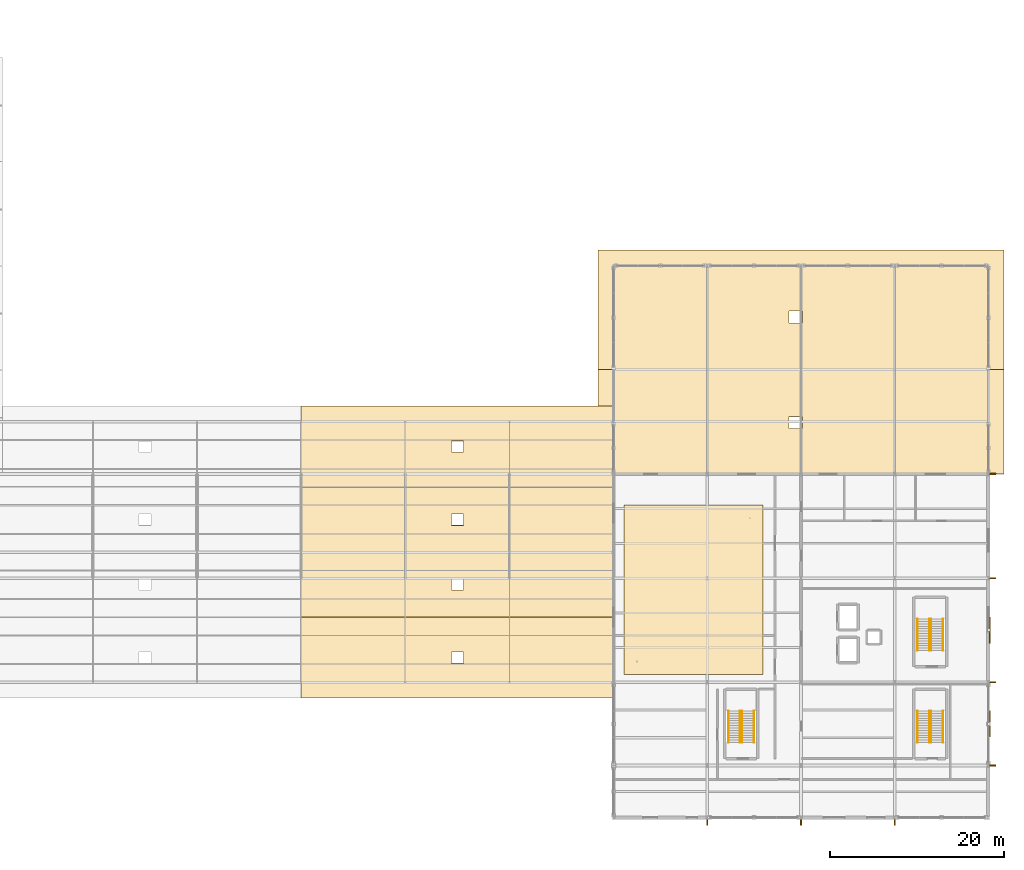
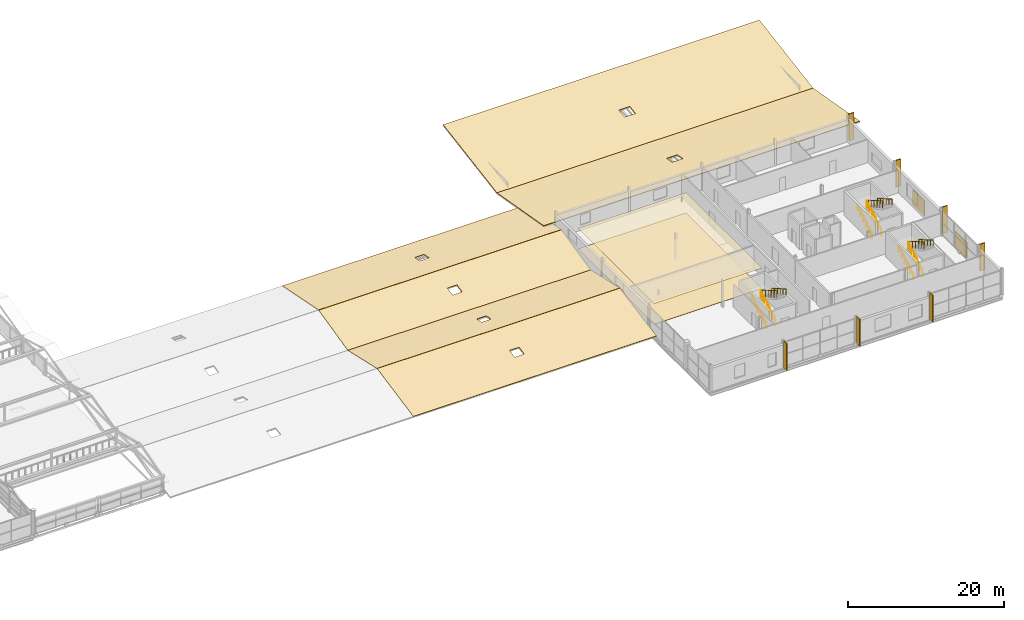
# One storey, part 117 of 117: 15 coverings, 12 railings, 2 shading devices.
"""IFC4 building model written with IfcOpenShell, lengths in metres."""

import ifcopenshell
import ifcopenshell.guid

model = None  # the IFC model being written
_history = None  # IfcOwnerHistory: only IFC2X3 demands one
_inside = {}  # id of a spatial element -> (the spatial element, [elements in it])
_under = {}  # id of a project, library or spatial element -> (it, [spatial elements below it])
_declared = {}  # id of a project -> (the project, [libraries it declares])
_typed = {}  # id of a type object -> (the type object, [elements of that type])
_made_of = {}  # id of a material, layer set ... -> (it, [elements and type objects made of it])


def new_model(schema):
    """Start an empty IFC model of exactly this schema.

    Asked for "IFC4X3", IfcOpenShell would pick the latest addendum, in which some entities
    have other attributes; the version numbers below select the first issue.
    IFC2X3 requires an IfcOwnerHistory on every rooted entity: one is made here for all.
    """
    global model, _history
    if schema == "IFC4X3":
        model = ifcopenshell.file(schema_version=(4, 3, 0, 0))
    else:
        model = ifcopenshell.file(schema=schema)
    _inside.clear()
    _under.clear()
    _declared.clear()
    _typed.clear()
    _made_of.clear()
    _history = None
    if model.schema == "IFC2X3":
        org = make("IfcOrganization", Name="unknown")
        user = make(
            "IfcPersonAndOrganization",
            ThePerson=make("IfcPerson", FamilyName="unknown"),
            TheOrganization=org,
        )
        app = make(
            "IfcApplication",
            ApplicationDeveloper=org,
            Version="unknown",
            ApplicationFullName="unknown",
            ApplicationIdentifier="unknown",
        )
        _history = make(
            "IfcOwnerHistory",
            OwningUser=user,
            OwningApplication=app,
            ChangeAction="ADDED",
            CreationDate=0,
        )
    return model


def make(cls, **values):
    """One entity of the class cls with the attributes given. An attribute that is None is left unset."""
    return model.create_entity(
        cls, **{name: value for name, value in values.items() if value is not None}
    )


def rooted(cls, **values):
    """An entity with a GlobalId (a new one), such as an element, a storey or a relation."""
    return make(cls, GlobalId=ifcopenshell.guid.new(), OwnerHistory=_history, **values)


def si_unit(unit_type, name, prefix=None):
    """IfcSIUnit, for example si_unit("LENGTHUNIT", "METRE", prefix="MILLI")."""
    return make("IfcSIUnit", UnitType=unit_type, Prefix=prefix, Name=name)


def assignment(units):
    """IfcUnitAssignment: the units of a project."""
    return None if units is None else make("IfcUnitAssignment", Units=units)


def point(xyz):
    """IfcCartesianPoint."""
    return None if xyz is None else make("IfcCartesianPoint", Coordinates=xyz)


def direction(xyz):
    """IfcDirection."""
    return None if xyz is None else make("IfcDirection", DirectionRatios=xyz)


def frame(location, z_axis=None, x_axis=None):
    """IfcAxis2Placement3D, a coordinate frame: its origin and axes. An axis left out is left unset."""
    return make(
        "IfcAxis2Placement3D",
        Location=point(location),
        Axis=direction(z_axis),
        RefDirection=direction(x_axis),
    )


def frame_2d(location, x_axis=None):
    """IfcAxis2Placement2D, a coordinate frame in the plane: its origin and x axis."""
    return make(
        "IfcAxis2Placement2D", Location=point(location), RefDirection=direction(x_axis)
    )


def origin():
    """The frame at (0, 0, 0) with its axes left unset."""
    return frame((0.0, 0.0, 0.0))


def origin_2d():
    """The frame at (0, 0) in the plane with its x axis left unset."""
    return frame_2d((0.0, 0.0))


def place(relative_to, where):
    """IfcLocalPlacement: puts the frame where relative to a parent placement (None: the world)."""
    return make(
        "IfcLocalPlacement", PlacementRelTo=relative_to, RelativePlacement=where
    )


def context(
    kind, dimensions, precision=None, world=None, true_north=None, identifier=None
):
    """IfcGeometricRepresentationContext, for example the 3D "Model" context."""
    return make(
        "IfcGeometricRepresentationContext",
        ContextIdentifier=identifier,
        ContextType=kind,
        CoordinateSpaceDimension=dimensions,
        Precision=precision,
        WorldCoordinateSystem=world,
        TrueNorth=true_north,
    )


def subcontext(parent, identifier, kind, view, scale=None):
    """IfcGeometricRepresentationSubContext, for example "Body" below "Model"."""
    return make(
        "IfcGeometricRepresentationSubContext",
        ContextIdentifier=identifier,
        ContextType=kind,
        ParentContext=parent,
        TargetScale=scale,
        TargetView=view,
    )


def project(units=None, contexts=None):
    """IfcProject with its units and contexts."""
    return rooted(
        "IfcProject",
        Name="project",
        RepresentationContexts=contexts,
        UnitsInContext=assignment(units),
    )


def spatial(cls, under=None, at=None, **own):
    """A site, building, storey or space (cls), placed at a placement, below another one or the project."""
    s = rooted(cls, ObjectPlacement=at, **own)
    if under is not None:
        _under.setdefault(under.id(), (under, []))[1].append(s)
    return s


def polyline(points):
    """IfcPolyline through the points."""
    return make("IfcPolyline", Points=[point(p) for p in points])


def profile(cls, at=None, kind="AREA", **sizes):
    """A parametric profile (cls). Its sizes go by their IFC names, for example OverallWidth=200.0."""
    return make(cls, ProfileType=kind, Position=at, **sizes)


def rectangle(**sizes):
    """IfcRectangleProfileDef."""
    return profile("IfcRectangleProfileDef", **sizes)


def circle(**sizes):
    """IfcCircleProfileDef."""
    return profile("IfcCircleProfileDef", **sizes)


def outline(outer, holes=None, kind="AREA"):
    """IfcArbitraryClosedProfileDef: a profile drawn as a closed curve; with holes, ...WithVoids."""
    if holes is None:
        return make("IfcArbitraryClosedProfileDef", ProfileType=kind, OuterCurve=outer)
    return make(
        "IfcArbitraryProfileDefWithVoids",
        ProfileType=kind,
        OuterCurve=outer,
        InnerCurves=holes,
    )


def extrude(swept, where, along, depth):
    """IfcExtrudedAreaSolid: the profile swept, set in the frame where, extruded along a direction by depth."""
    return make(
        "IfcExtrudedAreaSolid",
        SweptArea=swept,
        Position=where,
        ExtrudedDirection=direction(along),
        Depth=depth,
    )


def shape(context_of_items, identifier, shape_type, items):
    """IfcShapeRepresentation: the items that make up one representation, for example the "Body"."""
    return make(
        "IfcShapeRepresentation",
        ContextOfItems=context_of_items,
        RepresentationIdentifier=identifier,
        RepresentationType=shape_type,
        Items=items,
    )


def material(Name=None, Category=None):
    """IfcMaterial."""
    return make("IfcMaterial", Name=Name, Category=Category)


def layer(
    of_material, thickness, ventilated=None, Name=None, Category=None, Priority=None
):
    """IfcMaterialLayer: one layer of a wall or slab, of a material (None: an air gap)."""
    return make(
        "IfcMaterialLayer",
        Material=of_material,
        LayerThickness=thickness,
        IsVentilated=ventilated,
        Name=Name,
        Category=Category,
        Priority=Priority,
    )


def layer_set(layers, Name=None):
    """IfcMaterialLayerSet."""
    return make("IfcMaterialLayerSet", MaterialLayers=layers, LayerSetName=Name)


def made_of(thing, what):
    """Note that an element or type object is made of a material, layer set ...; save() writes the relation."""
    if what is not None:
        _made_of.setdefault(what.id(), (what, []))[1].append(thing)
    return thing


def type_object(cls, material=None, **own):
    """A type object (cls), such as IfcWallType, which elements share."""
    return made_of(rooted(cls, **own), material)


def element(
    cls,
    number,
    at=None,
    inside=None,
    cuts=None,
    type_object=None,
    material=None,
    context=None,
    identifier="Body",
    shape_type=None,
    held_by="IfcProductDefinitionShape",
    body=None,
    shapes=None,
    **own,
):
    """One element of the class cls, such as IfcWall. Its Tag is "e" and its number.

    at: its placement. inside: the storey or other place that contains it. cuts: it is an
    opening in that element (IfcRelVoidsElement). A single representation is given by context,
    identifier, shape_type and body (its items); several are given by shapes. held_by: the class
    of the entity that holds the representations. save() writes the other relations.
    """
    e = rooted(cls, Tag="e%d" % number, ObjectPlacement=at, **own)
    if body is not None:
        shapes = [shape(context, identifier, shape_type, body)]
    if shapes is not None:
        e.Representation = make(held_by, Representations=shapes)
    if inside is not None:
        _inside.setdefault(inside.id(), (inside, []))[1].append(e)
    if cuts is not None:
        rooted(
            "IfcRelVoidsElement", RelatingBuildingElement=cuts, RelatedOpeningElement=e
        )
    if type_object is not None:
        _typed.setdefault(type_object.id(), (type_object, []))[1].append(e)
    return made_of(e, material)


def aggregate(whole, parts):
    """IfcRelAggregates: a whole, such as a stair, and the parts it consists of."""
    return rooted("IfcRelAggregates", RelatingObject=whole, RelatedObjects=parts)


def save(model, path):
    """Write the relations noted so far, then the file.

    IfcRelAggregates (storeys below a building ...), IfcRelContainedInSpatialStructure (elements
    in a storey), IfcRelDefinesByType, IfcRelAssociatesMaterial and IfcRelDeclares: one each for
    every whole, place, type object, material and project.
    """
    for whole, parts in _under.values():
        aggregate(whole, parts)
    for where, things in _inside.values():
        rooted(
            "IfcRelContainedInSpatialStructure",
            RelatedElements=things,
            RelatingStructure=where,
        )
    for kind, things in _typed.values():
        rooted("IfcRelDefinesByType", RelatedObjects=things, RelatingType=kind)
    for what, things in _made_of.values():
        rooted("IfcRelAssociatesMaterial", RelatedObjects=things, RelatingMaterial=what)
    for by, libraries in _declared.values():
        rooted("IfcRelDeclares", RelatingContext=by, RelatedDefinitions=libraries)
    model.write(path)


model = new_model("IFC4")

# Units and contexts
model_context = context("Model", 3, precision=1e-05, world=origin(), true_north=direction((0.0, 1.0)))
body_context = subcontext(model_context, "Body", "Model", "MODEL_VIEW")
ifc_project = project(units=[si_unit("LENGTHUNIT", "METRE"), si_unit("AREAUNIT", "SQUARE_METRE"), si_unit("VOLUMEUNIT", "CUBIC_METRE"), si_unit("PLANEANGLEUNIT", "RADIAN"), si_unit("MASSUNIT", "GRAM", prefix="KILO")], contexts=[model_context])

# Site, building, storey
site_placement = place(None, origin())
site = spatial("IfcSite", under=ifc_project, at=site_placement, CompositionType="ELEMENT")
building_placement = place(site_placement, origin())
building = spatial("IfcBuilding", under=site, at=building_placement, Name="Merenkruunu Market Hall", CompositionType="ELEMENT")
storey_placement = place(building_placement, frame((0.0, 0.0, 10.199951171875)))
storey = spatial("IfcBuildingStorey", under=building, at=storey_placement, Name="L02", CompositionType="ELEMENT", Elevation=10.199951171875)

# Coverings
ifc_material_1 = material(Name="Precast concrete C40/50", Category="concrete")
ifc_layer_1 = layer(ifc_material_1, 0.139892578125)
ifc_layer_set_1 = layer_set([ifc_layer_1], Name="Precast concrete C40/50")
covering_type_1 = type_object("IfcCoveringType", Name="Architectural Precast Sun Fin CLD02", PredefinedType="CLADDING", material=ifc_layer_set_1)
covering_1_placement = place(storey_placement, origin())
element("IfcCovering", 1, at=covering_1_placement, inside=storey, type_object=covering_type_1, Name="FIN-S-L02-070", PredefinedType="CLADDING", context=body_context, shape_type="SweptSolid", body=[
    extrude(outline(polyline([(159.530029296875, -0.89990234375), (159.669921875, -0.89990234375), (159.669921875, -0.177978515625), (159.530029296875, -0.177978515625), (159.530029296875, -0.89990234375)])), origin(), (0.0, 0.0, 1.0), 4.199951171875),
])
covering_2_placement = place(storey_placement, origin())
element("IfcCovering", 2, at=covering_2_placement, inside=storey, type_object=covering_type_1, Name="FIN-S-L02-075", PredefinedType="CLADDING", context=body_context, shape_type="SweptSolid", body=[
    extrude(outline(polyline([(170.330078125, -0.89990234375), (170.469970703125, -0.89990234375), (170.469970703125, -0.177978515625), (170.330078125, -0.177978515625), (170.330078125, -0.89990234375)])), origin(), (0.0, 0.0, 1.0), 4.199951171875),
])
covering_3_placement = place(storey_placement, origin())
element("IfcCovering", 3, at=covering_3_placement, inside=storey, type_object=covering_type_1, Name="FIN-S-L02-080", PredefinedType="CLADDING", context=body_context, shape_type="SweptSolid", body=[
    extrude(outline(polyline([(181.1298828125, -0.89990234375), (181.27001953125, -0.89990234375), (181.27001953125, -0.177978515625), (181.1298828125, -0.177978515625), (181.1298828125, -0.89990234375)])), origin(), (0.0, 0.0, 1.0), 4.199951171875),
])
covering_4_placement = place(storey_placement, origin())
element("IfcCovering", 4, at=covering_4_placement, inside=storey, type_object=covering_type_1, Name="FIN-E-L02-085", PredefinedType="CLADDING", context=body_context, shape_type="SweptSolid", body=[
    extrude(outline(polyline([(192.14794921875, 5.929931640625), (192.8701171875, 5.929931640625), (192.8701171875, 6.070068359375), (192.14794921875, 6.070068359375), (192.14794921875, 5.929931640625)])), origin(), (0.0, 0.0, 1.0), 4.199951171875),
])
covering_5_placement = place(storey_placement, origin())
element("IfcCovering", 5, at=covering_5_placement, inside=storey, type_object=covering_type_1, Name="FIN-E-L02-090", PredefinedType="CLADDING", context=body_context, shape_type="SweptSolid", body=[
    extrude(outline(polyline([(192.14794921875, 15.530029296875), (192.8701171875, 15.530029296875), (192.8701171875, 15.669921875), (192.14794921875, 15.669921875), (192.14794921875, 15.530029296875)])), origin(), (0.0, 0.0, 1.0), 4.199951171875),
])
covering_6_placement = place(storey_placement, origin())
element("IfcCovering", 6, at=covering_6_placement, inside=storey, type_object=covering_type_1, Name="FIN-E-L02-095", PredefinedType="CLADDING", context=body_context, shape_type="SweptSolid", body=[
    extrude(outline(polyline([(192.14794921875, 27.530029296875), (192.8701171875, 27.530029296875), (192.8701171875, 27.669921875), (192.14794921875, 27.669921875), (192.14794921875, 27.530029296875)])), origin(), (0.0, 0.0, 1.0), 4.199951171875),
])
covering_7_placement = place(storey_placement, origin())
element("IfcCovering", 7, at=covering_7_placement, inside=storey, type_object=covering_type_1, Name="FIN-E-L02-100", PredefinedType="CLADDING", context=body_context, shape_type="SweptSolid", body=[
    extrude(outline(polyline([(192.14794921875, 39.530029296875), (192.8701171875, 39.530029296875), (192.8701171875, 39.669921875), (192.14794921875, 39.669921875), (192.14794921875, 39.530029296875)])), origin(), (0.0, 0.0, 1.0), 4.199951171875),
])
ifc_material_2 = material(Name="Epoxy food-grade resin flooring")
ifc_layer_2 = layer(ifc_material_2, 0.02490234375)
ifc_layer_set_2 = layer_set([ifc_layer_2], Name="Epoxy food-grade resin flooring")
covering_type_2 = type_object("IfcCoveringType", Name="Food Grade Resin Flooring FLR02", PredefinedType="FLOORING", material=ifc_layer_set_2)
covering_8_placement = place(storey_placement, origin())
element("IfcCovering", 8, at=covering_8_placement, inside=storey, type_object=covering_type_2, Name="COV-FLR-L02-1", PredefinedType="FLOORING", context=body_context, shape_type="SweptSolid", body=[
    extrude(outline(polyline([(150.0, 16.5), (150.0, 36.0), (166.0, 36.0), (166.0, 16.5), (150.0, 16.5)])), origin(), (0.0, 0.0, 1.0), 0.025146484375),
])

# Railings
ifc_material_3 = material(Name="Brushed stainless steel", Category="steel")
railing_type_1 = type_object("IfcRailingType", Name="Gallery Balustrade Guard GR01", PredefinedType="BALUSTRADE", material=ifc_material_3)
railing_1_placement = place(storey_placement, frame((185.18994140625, 8.64990234375, 0.0)))
element("IfcRailing", 9, at=railing_1_placement, inside=storey, type_object=railing_type_1, Name="RAIL-L02-0045", PredefinedType="BALUSTRADE", context=body_context, shape_type="SweptSolid", body=[
    extrude(circle(Radius=0.02392578125, at=origin_2d()), frame((0.0, 0.0, 1.076171875), z_axis=(0.0, 0.86618365172, 0.499725806311), x_axis=(-1.0, 0.0, 0.0)), (0.0, 0.0, 1.0), 4.202392578125),
    extrude(circle(Radius=0.02099609375, at=origin_2d()), origin(), (0.0, 0.0, 1.0), 1.052001953125),
    extrude(circle(Radius=0.02099609375, at=origin_2d()), frame((0.0, 0.72802734375, 0.419921875)), (0.0, 0.0, 1.0), 1.052001953125),
    extrude(circle(Radius=0.02099609375, at=origin_2d()), frame((0.0, 1.4560546875, 0.840087890625)), (0.0, 0.0, 1.0), 1.052001953125),
    extrude(circle(Radius=0.02099609375, at=origin_2d()), frame((0.0, 2.18408203125, 1.260009765625)), (0.0, 0.0, 1.0), 1.052001953125),
    extrude(circle(Radius=0.02099609375, at=origin_2d()), frame((0.0, 2.912109375, 1.68017578125)), (0.0, 0.0, 1.0), 1.052001953125),
    extrude(circle(Radius=0.02099609375, at=origin_2d()), frame((0.0, 3.64013671875, 2.10009765625)), (0.0, 0.0, 1.0), 1.052001953125),
])
railing_2_placement = place(storey_placement, frame((185.409912109375, 12.2900390625, 2.10009765625)))
element("IfcRailing", 10, at=railing_2_placement, inside=storey, type_object=railing_type_1, Name="RAIL-L02-0046", PredefinedType="BALUSTRADE", context=body_context, shape_type="SweptSolid", body=[
    extrude(circle(Radius=0.02392578125, at=origin_2d()), frame((0.0, 0.0, 1.076171875), z_axis=(0.0, -0.866208797654, 0.499682217882), x_axis=(1.0, 0.0, 0.0)), (0.0, 0.0, 1.0), 4.202392578125),
    extrude(circle(Radius=0.02099609375, at=origin_2d()), origin(), (0.0, 0.0, 1.0), 1.052001953125),
    extrude(circle(Radius=0.02099609375, at=origin_2d()), frame((0.0, -0.72802734375, 0.419921875)), (0.0, 0.0, 1.0), 1.052001953125),
    extrude(circle(Radius=0.02099609375, at=origin_2d()), frame((0.0, -1.4560546875, 0.83984375)), (0.0, 0.0, 1.0), 1.052001953125),
    extrude(circle(Radius=0.02099609375, at=origin_2d()), frame((0.0, -2.18408203125, 1.260009765625)), (0.0, 0.0, 1.0), 1.052001953125),
    extrude(circle(Radius=0.02099609375, at=origin_2d()), frame((0.0, -2.912109375, 1.679931640625)), (0.0, 0.0, 1.0), 1.052001953125),
    extrude(circle(Radius=0.02099609375, at=origin_2d()), frame((0.0, -3.64013671875, 2.099853515625)), (0.0, 0.0, 1.0), 1.052001953125),
])
railing_3_placement = place(storey_placement, frame((185.18994140625, 19.25, 0.0)))
element("IfcRailing", 11, at=railing_3_placement, inside=storey, type_object=railing_type_1, Name="RAIL-L02-0062", PredefinedType="BALUSTRADE", context=body_context, shape_type="SweptSolid", body=[
    extrude(circle(Radius=0.02392578125, at=origin_2d()), frame((0.0, 0.0, 1.076171875), z_axis=(0.0, 0.866169143014, 0.499750953666), x_axis=(-1.0, 0.0, 0.0)), (0.0, 0.0, 1.0), 4.202392578125),
    extrude(circle(Radius=0.02099609375, at=origin_2d()), origin(), (0.0, 0.0, 1.0), 1.052001953125),
    extrude(circle(Radius=0.02099609375, at=origin_2d()), frame((0.0, 0.72802734375, 0.419921875)), (0.0, 0.0, 1.0), 1.052001953125),
    extrude(circle(Radius=0.02099609375, at=origin_2d()), frame((0.0, 1.4560546875, 0.840087890625)), (0.0, 0.0, 1.0), 1.052001953125),
    extrude(circle(Radius=0.02099609375, at=origin_2d()), frame((0.0, 2.183837890625, 1.260009765625)), (0.0, 0.0, 1.0), 1.052001953125),
    extrude(circle(Radius=0.02099609375, at=origin_2d()), frame((0.0, 2.911865234375, 1.68017578125)), (0.0, 0.0, 1.0), 1.052001953125),
    extrude(circle(Radius=0.02099609375, at=origin_2d()), frame((0.0, 3.639892578125, 2.10009765625)), (0.0, 0.0, 1.0), 1.052001953125),
])
railing_4_placement = place(storey_placement, frame((185.409912109375, 22.889892578125, 2.10009765625)))
element("IfcRailing", 12, at=railing_4_placement, inside=storey, type_object=railing_type_1, Name="RAIL-L02-0063", PredefinedType="BALUSTRADE", context=body_context, shape_type="SweptSolid", body=[
    extrude(circle(Radius=0.02392578125, at=origin_2d()), frame((0.0, 0.0, 1.076171875), z_axis=(0.0, -0.866194291058, 0.499707364504), x_axis=(1.0, 0.0, 0.0)), (0.0, 0.0, 1.0), 4.2021484375),
    extrude(circle(Radius=0.02099609375, at=origin_2d()), origin(), (0.0, 0.0, 1.0), 1.052001953125),
    extrude(circle(Radius=0.02099609375, at=origin_2d()), frame((0.0, -0.72802734375, 0.419921875)), (0.0, 0.0, 1.0), 1.052001953125),
    extrude(circle(Radius=0.02099609375, at=origin_2d()), frame((0.0, -1.4560546875, 0.83984375)), (0.0, 0.0, 1.0), 1.052001953125),
    extrude(circle(Radius=0.02099609375, at=origin_2d()), frame((0.0, -2.183837890625, 1.260009765625)), (0.0, 0.0, 1.0), 1.052001953125),
    extrude(circle(Radius=0.02099609375, at=origin_2d()), frame((0.0, -2.911865234375, 1.679931640625)), (0.0, 0.0, 1.0), 1.052001953125),
    extrude(circle(Radius=0.02099609375, at=origin_2d()), frame((0.0, -3.639892578125, 2.099853515625)), (0.0, 0.0, 1.0), 1.052001953125),
])
railing_5_placement = place(storey_placement, frame((163.389892578125, 8.64990234375, 0.0)))
element("IfcRailing", 13, at=railing_5_placement, inside=storey, type_object=railing_type_1, Name="RAIL-L02-0089", PredefinedType="BALUSTRADE", context=body_context, shape_type="SweptSolid", body=[
    extrude(circle(Radius=0.02392578125, at=origin_2d()), frame((0.0, 0.0, 1.076171875), z_axis=(0.0, 0.86618365172, 0.499725806311), x_axis=(-1.0, 0.0, 0.0)), (0.0, 0.0, 1.0), 4.202392578125),
    extrude(circle(Radius=0.02099609375, at=origin_2d()), origin(), (0.0, 0.0, 1.0), 1.052001953125),
    extrude(circle(Radius=0.02099609375, at=origin_2d()), frame((0.0, 0.72802734375, 0.419921875)), (0.0, 0.0, 1.0), 1.052001953125),
    extrude(circle(Radius=0.02099609375, at=origin_2d()), frame((0.0, 1.4560546875, 0.840087890625)), (0.0, 0.0, 1.0), 1.052001953125),
    extrude(circle(Radius=0.02099609375, at=origin_2d()), frame((0.0, 2.18408203125, 1.260009765625)), (0.0, 0.0, 1.0), 1.052001953125),
    extrude(circle(Radius=0.02099609375, at=origin_2d()), frame((0.0, 2.912109375, 1.68017578125)), (0.0, 0.0, 1.0), 1.052001953125),
    extrude(circle(Radius=0.02099609375, at=origin_2d()), frame((0.0, 3.64013671875, 2.10009765625)), (0.0, 0.0, 1.0), 1.052001953125),
])
railing_6_placement = place(storey_placement, frame((163.610107421875, 12.2900390625, 2.10009765625)))
element("IfcRailing", 14, at=railing_6_placement, inside=storey, type_object=railing_type_1, Name="RAIL-L02-0090", PredefinedType="BALUSTRADE", context=body_context, shape_type="SweptSolid", body=[
    extrude(circle(Radius=0.02392578125, at=origin_2d()), frame((0.0, 0.0, 1.076171875), z_axis=(0.0, -0.866208797654, 0.499682217882), x_axis=(1.0, 0.0, 0.0)), (0.0, 0.0, 1.0), 4.202392578125),
    extrude(circle(Radius=0.02099609375, at=origin_2d()), origin(), (0.0, 0.0, 1.0), 1.052001953125),
    extrude(circle(Radius=0.02099609375, at=origin_2d()), frame((0.0, -0.72802734375, 0.419921875)), (0.0, 0.0, 1.0), 1.052001953125),
    extrude(circle(Radius=0.02099609375, at=origin_2d()), frame((0.0, -1.4560546875, 0.83984375)), (0.0, 0.0, 1.0), 1.052001953125),
    extrude(circle(Radius=0.02099609375, at=origin_2d()), frame((0.0, -2.18408203125, 1.260009765625)), (0.0, 0.0, 1.0), 1.052001953125),
    extrude(circle(Radius=0.02099609375, at=origin_2d()), frame((0.0, -2.912109375, 1.679931640625)), (0.0, 0.0, 1.0), 1.052001953125),
    extrude(circle(Radius=0.02099609375, at=origin_2d()), frame((0.0, -3.64013671875, 2.099853515625)), (0.0, 0.0, 1.0), 1.052001953125),
])

# Coverings
ifc_material_4 = material(Name="Acoustic mineral wool panel")
ifc_layer_3 = layer(ifc_material_4, 0.034912109375)
ifc_layer_set_3 = layer_set([ifc_layer_3], Name="Acoustic mineral wool panel")
covering_type_3 = type_object("IfcCoveringType", Name="Hygienic Mineral Ceiling CLG02", PredefinedType="CEILING", material=ifc_layer_set_3)
covering_9_placement = place(storey_placement, frame((0.0, 0.0, 3.199951171875)))
element("IfcCovering", 15, at=covering_9_placement, inside=storey, type_object=covering_type_3, Name="COV-CLG-L02-1", PredefinedType="CEILING", context=body_context, shape_type="SweptSolid", body=[
    extrude(outline(polyline([(150.0, 16.5), (150.0, 36.0), (166.0, 36.0), (166.0, 16.5), (150.0, 16.5)])), origin(), (0.0, 0.0, 1.0), 0.03515625),
])
ifc_material_5 = material(Name="High-albedo white steel roof cladding", Category="steel")
ifc_layer_4 = layer(ifc_material_5, 0.080078125)
ifc_layer_set_4 = layer_set([ifc_layer_4], Name="High-albedo white steel roof cladding")
covering_type_4 = type_object("IfcCoveringType", Name="Insulated White Diamond Roof Panel RFG01", PredefinedType="ROOFING", material=ifc_layer_set_4)
covering_10_placement = place(storey_placement, frame((112.800048828125, 13.7841796875, 0.279052734375), z_axis=(0.0, -0.195110908109, 0.98078118535), x_axis=(1.0, 0.0, 0.0)))
element("IfcCovering", 16, at=covering_10_placement, inside=storey, type_object=covering_type_4, Name="COV-SLRF-005", PredefinedType="ROOFING", context=body_context, shape_type="SweptSolid", body=[
    extrude(outline(polyline([(0.0, 0.0), (36.0, 0.0), (36.0, 9.482287147264152), (0.0, 9.482287147264152), (0.0, 0.0)]), holes=[polyline([(17.300048828125, 4.078413208303833), (18.699951171875, 4.078413208303833), (18.699951171875, 5.403921573459369), (17.300048828125, 5.403921573459369), (17.300048828125, 4.078413208303833)])]), origin(), (0.0, 0.0, -1.0), 0.080078125),
])
covering_11_placement = place(storey_placement, frame((112.800048828125, 23.117919921875, 2.128662109375), z_axis=(0.0, 0.221052991553, 0.975261798147), x_axis=(1.0, 0.0, 0.0)))
element("IfcCovering", 17, at=covering_11_placement, inside=storey, type_object=covering_type_4, Name="COV-SLRF-006", PredefinedType="ROOFING", context=body_context, shape_type="SweptSolid", body=[
    extrude(outline(polyline([(0.0, 0.0), (36.0, 0.0), (36.0, 7.69024277814161), (0.0, 7.69024277814161), (0.0, 0.0)]), holes=[polyline([(17.300048828125, 3.1784886622962816), (18.699951171875, 3.1784886622962816), (18.699951171875, 4.51151601482039), (17.300048828125, 4.51151601482039), (17.300048828125, 3.1784886622962816)])]), origin(), (0.0, 0.0, -1.0), 0.080078125),
])
covering_12_placement = place(storey_placement, frame((112.800048828125, 30.581787109375, 0.428466796875), z_axis=(0.0, -0.227229615606, 0.973841209742), x_axis=(1.0, 0.0, 0.0)))
element("IfcCovering", 18, at=covering_12_placement, inside=storey, type_object=covering_type_4, Name="COV-SLRF-007", PredefinedType="ROOFING", context=body_context, shape_type="SweptSolid", body=[
    extrude(outline(polyline([(0.0, 0.0), (36.0, 0.0), (36.0, 7.701460900374682), (0.0, 7.701460900374682), (0.0, 0.0)]), holes=[polyline([(17.300048828125, 3.183140427522795), (18.699951171875, 3.183140427522795), (18.699951171875, 4.518138194630663), (17.300048828125, 4.518138194630663), (17.300048828125, 3.183140427522795)])]), origin(), (0.0, 0.0, -1.0), 0.080078125),
])
covering_13_placement = place(storey_placement, frame((112.800048828125, 38.11572265625, 2.17919921875), z_axis=(0.0, 0.195110908109, 0.98078118535), x_axis=(1.0, 0.0, 0.0)))
element("IfcCovering", 19, at=covering_13_placement, inside=storey, type_object=covering_type_4, Name="COV-SLRF-008", PredefinedType="ROOFING", context=body_context, shape_type="SweptSolid", body=[
    extrude(outline(polyline([(0.0, 0.0), (36.0, 0.0), (36.0, 9.482287147264152), (0.0, 9.482287147264152), (0.0, 0.0)]), holes=[polyline([(17.300048828125, 4.078365573804783), (18.699951171875, 4.078365573804783), (18.699951171875, 5.403921573459369), (17.300048828125, 5.403921573459369), (17.300048828125, 4.078365573804783)])]), origin(), (0.0, 0.0, -1.0), 0.080078125),
])
covering_14_placement = place(storey_placement, frame((147.0, 39.614013671875, 2.4794921875), z_axis=(0.0, 0.17398191319, 0.984748848125), x_axis=(1.0, 0.0, 0.0)))
element("IfcCovering", 20, at=covering_14_placement, inside=storey, type_object=covering_type_4, Name="COV-SLRF-023", PredefinedType="ROOFING", context=body_context, shape_type="SweptSolid", body=[
    extrude(outline(polyline([(0.0, 0.0), (46.800048828125, 0.0), (46.800048828125, 12.185848221963578), (0.0, 12.185848221963578), (0.0, 0.0)]), holes=[polyline([(22.0, 5.280483314340832), (23.60009765625, 5.280483314340832), (23.60009765625, 6.702304193749063), (22.0, 6.702304193749063), (22.0, 5.280483314340832)])]), origin(), (0.0, 0.0, -1.0), 0.080078125),
])
covering_15_placement = place(storey_placement, frame((147.0, 51.586669921875, 0.359619140625), z_axis=(0.0, -0.164401817127, 0.986393452191), x_axis=(1.0, 0.0, 0.0)))
element("IfcCovering", 21, at=covering_15_placement, inside=storey, type_object=covering_type_4, Name="COV-SLRF-024", PredefinedType="ROOFING", context=body_context, shape_type="SweptSolid", body=[
    extrude(outline(polyline([(0.0, 0.0), (46.800048828125, 0.0), (46.800048828125, 13.990410010803593), (0.0, 13.990410010803593), (0.0, 0.0)]), holes=[polyline([(22.0, 5.474614713609264), (23.60009765625, 5.474614713609264), (23.60009765625, 6.8938403464307445), (22.0, 6.8938403464307445), (22.0, 5.474614713609264)])]), origin(), (0.0, 0.0, -1.0), 0.080078125),
])

# Shading devices
ifc_layer_5 = layer(ifc_material_1, 0.1201171875)
ifc_layer_set_5 = layer_set([ifc_layer_5], Name="Precast concrete C40/50")
shading_device_type = type_object("IfcShadingDeviceType", Name="Perforated Precast Brise Soleil Screen BRS01", PredefinedType="USERDEFINED", material=ifc_layer_set_5)
for number, where, z_axis, x_axis, name in (
    (22, (192.139892578125, 10.800048828125, 0.0), (0.0, 0.0, 1.0), (0.0, 1.0, 0.0), "SHD-BRS-06"),
    (23, (192.139892578125, 21.60009765625, 0.0), (0.0, 0.0, 1.0), (0.0, 1.0, 0.0), "SHD-BRS-07"),
):
    element("IfcShadingDevice", number, at=place(storey_placement, frame(where, z_axis=z_axis, x_axis=x_axis)), inside=storey, type_object=shading_device_type, Name=name, ObjectType="BRISE_SOLEIL", PredefinedType="USERDEFINED", context=body_context, shape_type="SweptSolid", body=[
        extrude(rectangle(XDim=3.0, YDim=0.1201171875, at=origin_2d()), origin(), (0.0, 0.0, 1.0), 2.39990234375),
    ])

# Railings
railing_type_2 = type_object("IfcRailingType", Name="Stair Pitch Handrail HR01", PredefinedType="HANDRAIL", material=ifc_material_3)
railing_7_placement = place(storey_placement, frame((183.830078125, 8.64990234375, 0.0)))
element("IfcRailing", 24, at=railing_7_placement, inside=storey, type_object=railing_type_2, Name="RAIL-L02-0047", PredefinedType="HANDRAIL", context=body_context, shape_type="SweptSolid", body=[
    extrude(circle(Radius=0.02392578125, at=origin_2d()), frame((0.0, 0.0, 0.8759765625), z_axis=(0.0, 0.86618365172, 0.499725806311), x_axis=(-1.0, 0.0, 0.0)), (0.0, 0.0, 1.0), 4.202392578125),
    extrude(circle(Radius=0.02099609375, at=origin_2d()), origin(), (0.0, 0.0, 1.0), 0.851806640625),
    extrude(circle(Radius=0.02099609375, at=origin_2d()), frame((0.0, 0.72802734375, 0.419921875)), (0.0, 0.0, 1.0), 0.851806640625),
    extrude(circle(Radius=0.02099609375, at=origin_2d()), frame((0.0, 1.4560546875, 0.840087890625)), (0.0, 0.0, 1.0), 0.851806640625),
    extrude(circle(Radius=0.02099609375, at=origin_2d()), frame((0.0, 2.18408203125, 1.260009765625)), (0.0, 0.0, 1.0), 0.851806640625),
    extrude(circle(Radius=0.02099609375, at=origin_2d()), frame((0.0, 2.912109375, 1.68017578125)), (0.0, 0.0, 1.0), 0.851806640625),
    extrude(circle(Radius=0.02099609375, at=origin_2d()), frame((0.0, 3.64013671875, 2.10009765625)), (0.0, 0.0, 1.0), 0.851806640625),
])
railing_8_placement = place(storey_placement, frame((186.77001953125, 12.2900390625, 2.10009765625)))
element("IfcRailing", 25, at=railing_8_placement, inside=storey, type_object=railing_type_2, Name="RAIL-L02-0048", PredefinedType="HANDRAIL", context=body_context, shape_type="SweptSolid", body=[
    extrude(circle(Radius=0.02392578125, at=origin_2d()), frame((0.0, 0.0, 0.8759765625), z_axis=(0.0, -0.866208797654, 0.499682217882), x_axis=(1.0, 0.0, 0.0)), (0.0, 0.0, 1.0), 4.202392578125),
    extrude(circle(Radius=0.02099609375, at=origin_2d()), origin(), (0.0, 0.0, 1.0), 0.851806640625),
    extrude(circle(Radius=0.02099609375, at=origin_2d()), frame((0.0, -0.72802734375, 0.419921875)), (0.0, 0.0, 1.0), 0.851806640625),
    extrude(circle(Radius=0.02099609375, at=origin_2d()), frame((0.0, -1.4560546875, 0.83984375)), (0.0, 0.0, 1.0), 0.851806640625),
    extrude(circle(Radius=0.02099609375, at=origin_2d()), frame((0.0, -2.18408203125, 1.260009765625)), (0.0, 0.0, 1.0), 0.851806640625),
    extrude(circle(Radius=0.02099609375, at=origin_2d()), frame((0.0, -2.912109375, 1.679931640625)), (0.0, 0.0, 1.0), 0.851806640625),
    extrude(circle(Radius=0.02099609375, at=origin_2d()), frame((0.0, -3.64013671875, 2.099853515625)), (0.0, 0.0, 1.0), 0.851806640625),
])
railing_9_placement = place(storey_placement, frame((183.830078125, 19.25, 0.0)))
element("IfcRailing", 26, at=railing_9_placement, inside=storey, type_object=railing_type_2, Name="RAIL-L02-0064", PredefinedType="HANDRAIL", context=body_context, shape_type="SweptSolid", body=[
    extrude(circle(Radius=0.02392578125, at=origin_2d()), frame((0.0, 0.0, 0.8759765625), z_axis=(0.0, 0.866169143014, 0.499750953666), x_axis=(-1.0, 0.0, 0.0)), (0.0, 0.0, 1.0), 4.202392578125),
    extrude(circle(Radius=0.02099609375, at=origin_2d()), origin(), (0.0, 0.0, 1.0), 0.851806640625),
    extrude(circle(Radius=0.02099609375, at=origin_2d()), frame((0.0, 0.72802734375, 0.419921875)), (0.0, 0.0, 1.0), 0.851806640625),
    extrude(circle(Radius=0.02099609375, at=origin_2d()), frame((0.0, 1.4560546875, 0.840087890625)), (0.0, 0.0, 1.0), 0.851806640625),
    extrude(circle(Radius=0.02099609375, at=origin_2d()), frame((0.0, 2.183837890625, 1.260009765625)), (0.0, 0.0, 1.0), 0.851806640625),
    extrude(circle(Radius=0.02099609375, at=origin_2d()), frame((0.0, 2.911865234375, 1.68017578125)), (0.0, 0.0, 1.0), 0.851806640625),
    extrude(circle(Radius=0.02099609375, at=origin_2d()), frame((0.0, 3.639892578125, 2.10009765625)), (0.0, 0.0, 1.0), 0.851806640625),
])
railing_10_placement = place(storey_placement, frame((186.77001953125, 22.889892578125, 2.10009765625)))
element("IfcRailing", 27, at=railing_10_placement, inside=storey, type_object=railing_type_2, Name="RAIL-L02-0065", PredefinedType="HANDRAIL", context=body_context, shape_type="SweptSolid", body=[
    extrude(circle(Radius=0.02392578125, at=origin_2d()), frame((0.0, 0.0, 0.8759765625), z_axis=(0.0, -0.866194291058, 0.499707364504), x_axis=(1.0, 0.0, 0.0)), (0.0, 0.0, 1.0), 4.2021484375),
    extrude(circle(Radius=0.02099609375, at=origin_2d()), origin(), (0.0, 0.0, 1.0), 0.851806640625),
    extrude(circle(Radius=0.02099609375, at=origin_2d()), frame((0.0, -0.72802734375, 0.419921875)), (0.0, 0.0, 1.0), 0.851806640625),
    extrude(circle(Radius=0.02099609375, at=origin_2d()), frame((0.0, -1.4560546875, 0.83984375)), (0.0, 0.0, 1.0), 0.851806640625),
    extrude(circle(Radius=0.02099609375, at=origin_2d()), frame((0.0, -2.183837890625, 1.260009765625)), (0.0, 0.0, 1.0), 0.851806640625),
    extrude(circle(Radius=0.02099609375, at=origin_2d()), frame((0.0, -2.911865234375, 1.679931640625)), (0.0, 0.0, 1.0), 0.851806640625),
    extrude(circle(Radius=0.02099609375, at=origin_2d()), frame((0.0, -3.639892578125, 2.099853515625)), (0.0, 0.0, 1.0), 0.851806640625),
])
railing_11_placement = place(storey_placement, frame((162.030029296875, 8.64990234375, 0.0)))
element("IfcRailing", 28, at=railing_11_placement, inside=storey, type_object=railing_type_2, Name="RAIL-L02-0091", PredefinedType="HANDRAIL", context=body_context, shape_type="SweptSolid", body=[
    extrude(circle(Radius=0.02392578125, at=origin_2d()), frame((0.0, 0.0, 0.8759765625), z_axis=(0.0, 0.86618365172, 0.499725806311), x_axis=(-1.0, 0.0, 0.0)), (0.0, 0.0, 1.0), 4.202392578125),
    extrude(circle(Radius=0.02099609375, at=origin_2d()), origin(), (0.0, 0.0, 1.0), 0.851806640625),
    extrude(circle(Radius=0.02099609375, at=origin_2d()), frame((0.0, 0.72802734375, 0.419921875)), (0.0, 0.0, 1.0), 0.851806640625),
    extrude(circle(Radius=0.02099609375, at=origin_2d()), frame((0.0, 1.4560546875, 0.840087890625)), (0.0, 0.0, 1.0), 0.851806640625),
    extrude(circle(Radius=0.02099609375, at=origin_2d()), frame((0.0, 2.18408203125, 1.260009765625)), (0.0, 0.0, 1.0), 0.851806640625),
    extrude(circle(Radius=0.02099609375, at=origin_2d()), frame((0.0, 2.912109375, 1.68017578125)), (0.0, 0.0, 1.0), 0.851806640625),
    extrude(circle(Radius=0.02099609375, at=origin_2d()), frame((0.0, 3.64013671875, 2.10009765625)), (0.0, 0.0, 1.0), 0.851806640625),
])
railing_12_placement = place(storey_placement, frame((164.969970703125, 12.2900390625, 2.10009765625)))
element("IfcRailing", 29, at=railing_12_placement, inside=storey, type_object=railing_type_2, Name="RAIL-L02-0092", PredefinedType="HANDRAIL", context=body_context, shape_type="SweptSolid", body=[
    extrude(circle(Radius=0.02392578125, at=origin_2d()), frame((0.0, 0.0, 0.8759765625), z_axis=(0.0, -0.866208797654, 0.499682217882), x_axis=(1.0, 0.0, 0.0)), (0.0, 0.0, 1.0), 4.202392578125),
    extrude(circle(Radius=0.02099609375, at=origin_2d()), origin(), (0.0, 0.0, 1.0), 0.851806640625),
    extrude(circle(Radius=0.02099609375, at=origin_2d()), frame((0.0, -0.72802734375, 0.419921875)), (0.0, 0.0, 1.0), 0.851806640625),
    extrude(circle(Radius=0.02099609375, at=origin_2d()), frame((0.0, -1.4560546875, 0.83984375)), (0.0, 0.0, 1.0), 0.851806640625),
    extrude(circle(Radius=0.02099609375, at=origin_2d()), frame((0.0, -2.18408203125, 1.260009765625)), (0.0, 0.0, 1.0), 0.851806640625),
    extrude(circle(Radius=0.02099609375, at=origin_2d()), frame((0.0, -2.912109375, 1.679931640625)), (0.0, 0.0, 1.0), 0.851806640625),
    extrude(circle(Radius=0.02099609375, at=origin_2d()), frame((0.0, -3.64013671875, 2.099853515625)), (0.0, 0.0, 1.0), 0.851806640625),
])

save(model, "model.ifc")
